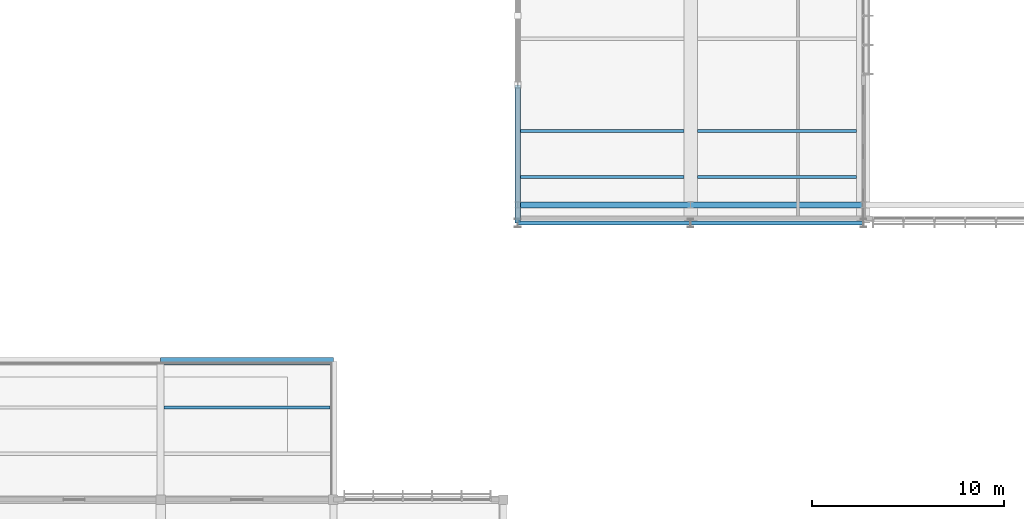
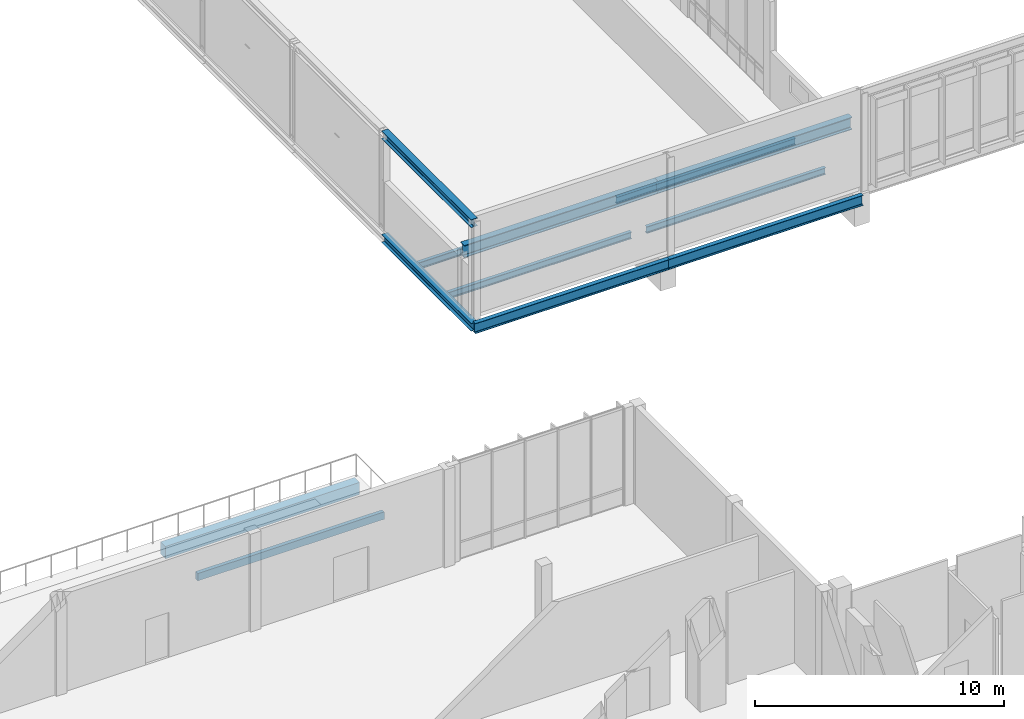
# One storey, part 58 of 177: 12 beams.
"""IFC4 building model written with IfcOpenShell, lengths in metres."""

from ifc_helpers import new_model, si_unit, direction, frame, origin, origin_2d, place, context, subcontext, project, spatial, rectangle, i_section, extrude, material, material_profile, profile_set, type_object, element, save


model = new_model("IFC4")

# Units and contexts
model_context = context("Model", 3, precision=1e-05, world=origin(), true_north=direction((0.0, 1.0)))
body_context = subcontext(model_context, "Body", "Model", "MODEL_VIEW")
ifc_project = project(units=[si_unit("LENGTHUNIT", "METRE"), si_unit("AREAUNIT", "SQUARE_METRE"), si_unit("VOLUMEUNIT", "CUBIC_METRE"), si_unit("PLANEANGLEUNIT", "RADIAN"), si_unit("MASSUNIT", "GRAM", prefix="KILO")], contexts=[model_context])

# Site, building, storey
site_placement = place(None, origin())
site = spatial("IfcSite", under=ifc_project, at=site_placement, CompositionType="ELEMENT")
building_placement = place(site_placement, origin())
building = spatial("IfcBuilding", under=site, at=building_placement, Name="Chiffa Square Polytechnic", CompositionType="ELEMENT")
storey_placement = place(building_placement, frame((0.0, 0.0, 4.800048828125)))
storey = spatial("IfcBuildingStorey", under=building, at=storey_placement, Name="L01", CompositionType="ELEMENT", Elevation=4.800048828125)

# Beams
ifc_material_1 = material(Name="Concrete C35/45", Category="concrete")
ifc_material_profile_1 = material_profile(ifc_material_1, rectangle(XDim=0.39990234375, YDim=0.60009765625, at=origin_2d()), Name="RC 400x600")
ifc_profile_set_1 = profile_set([ifc_material_profile_1], Name="Concrete C35/45")
beam_type_1 = type_object("IfcBeamType", Name="BM-RC-400X600", PredefinedType="BEAM", material=ifc_profile_set_1)
beam_1_placement = place(storey_placement, frame((93.60009765625, 51.0, -0.580078125), z_axis=(1.0, 0.0, 0.0), x_axis=(0.0, 1.0, 0.0)))
element("IfcBeam", 1, at=beam_1_placement, inside=storey, type_object=beam_type_1, Name="Primary floor girder BM-V4-L01-X-0936-0510", PredefinedType="BEAM", context=body_context, shape_type="SweptSolid", body=[
    extrude(rectangle(XDim=0.39990234375, YDim=0.60009765625, at=origin_2d()), origin(), (0.0, 0.0, 1.0), 9.0),
])
ifc_material_2 = material(Name="Steel S355", Category="steel")
ifc_material_profile_2 = material_profile(ifc_material_2, i_section(OverallWidth=0.300048828125, OverallDepth=0.389892578125, WebThickness=0.010986328125, FlangeThickness=0.01904296875, FilletRadius=0.027099609375, at=origin_2d()), Name="HEA 400")
ifc_profile_set_2 = profile_set([ifc_material_profile_2], Name="Steel S355")
beam_type_2 = type_object("IfcBeamType", Name="BM-STL-HEA400", PredefinedType="BEAM", material=ifc_profile_set_2)
for number, where, z_axis, x_axis, name in (
    (2, (112.199951171875, 58.199951171875, -0.47509765625), (0.0, 1.0, 0.0), (-1.0, 0.0, 0.0), "Primary floor girder BM-V2-L01-Y-1122-0582"),
    (3, (112.199951171875, 58.199951171875, 4.60498046875), (0.0, 1.0, 0.0), (-1.0, 0.0, 0.0), "Workshop west gable tie girder BM-V2-GBLTIE-W1"),
):
    element("IfcBeam", number, at=place(storey_placement, frame(where, z_axis=z_axis, x_axis=x_axis)), inside=storey, type_object=beam_type_2, Name=name, PredefinedType="BEAM", context=body_context, shape_type="SweptSolid", body=[
        extrude(i_section(OverallWidth=0.300048828125, OverallDepth=0.389892578125, WebThickness=0.010986328125, FlangeThickness=0.01904296875, FilletRadius=0.027099609375, at=origin_2d()), origin(), (0.0, 0.0, 1.0), 7.199951171875),
    ])
ifc_material_profile_3 = material_profile(ifc_material_2, i_section(OverallWidth=0.199951171875, OverallDepth=0.5, WebThickness=0.01025390625, FlangeThickness=0.01611328125, FilletRadius=0.02099609375, at=origin_2d()), Name="IPE 500")
ifc_profile_set_3 = profile_set([ifc_material_profile_3], Name="Steel S355")
beam_type_3 = type_object("IfcBeamType", Name="BM-STL-IPE500", PredefinedType="BEAM", material=ifc_profile_set_3)
for number, where, z_axis, x_axis, name in (
    (4, (112.199951171875, 58.199951171875, -0.530029296875), (1.0, 0.0, 0.0), (0.0, 1.0, 0.0), "Primary floor girder BM-V2-L01-X-1122-0582"),
    (5, (121.199951171875, 58.199951171875, -0.530029296875), (1.0, 0.0, 0.0), (0.0, 1.0, 0.0), "Primary floor girder BM-V2-L01-X-1212-0582"),
):
    element("IfcBeam", number, at=place(storey_placement, frame(where, z_axis=z_axis, x_axis=x_axis)), inside=storey, type_object=beam_type_3, Name=name, PredefinedType="BEAM", context=body_context, shape_type="SweptSolid", body=[
        extrude(i_section(OverallWidth=0.199951171875, OverallDepth=0.5, WebThickness=0.01025390625, FlangeThickness=0.01611328125, FilletRadius=0.02099609375, at=origin_2d()), origin(), (0.0, 0.0, 1.0), 9.0),
    ])
ifc_material_profile_4 = material_profile(ifc_material_2, i_section(OverallWidth=0.300048828125, OverallDepth=0.60009765625, WebThickness=0.015380859375, FlangeThickness=0.030029296875, FilletRadius=0.027099609375, at=origin_2d()), Name="HEB 600")
ifc_profile_set_4 = profile_set([ifc_material_profile_4], Name="Steel S355")
beam_type_4 = type_object("IfcBeamType", Name="CG-STL-HEB600", PredefinedType="USERDEFINED", material=ifc_profile_set_4)
for number, where, z_axis, x_axis, name in (
    (6, (112.199951171875, 59.14990234375, 2.699951171875), (1.0, 0.0, 0.0), (0.0, 1.0, 0.0), "Bridge crane runway girder CG-V2-L01-S01"),
    (7, (121.199951171875, 59.14990234375, 2.699951171875), (1.0, 0.0, 0.0), (0.0, 1.0, 0.0), "Bridge crane runway girder CG-V2-L01-S02"),
):
    element("IfcBeam", number, at=place(storey_placement, frame(where, z_axis=z_axis, x_axis=x_axis)), inside=storey, type_object=beam_type_4, Name=name, ObjectType="CRANE GIRDER", PredefinedType="USERDEFINED", context=body_context, shape_type="SweptSolid", body=[
        extrude(i_section(OverallWidth=0.300048828125, OverallDepth=0.60009765625, WebThickness=0.015380859375, FlangeThickness=0.030029296875, FilletRadius=0.027099609375, at=origin_2d()), origin(), (0.0, 0.0, 1.0), 9.0),
    ])
ifc_material_3 = material(Name="Glulam GL28h", Category="wood")
ifc_material_profile_5 = material_profile(ifc_material_3, rectangle(XDim=0.179931640625, YDim=0.360107421875, at=origin_2d()), Name="GL28h 180x360")
ifc_profile_set_5 = profile_set([ifc_material_profile_5], Name="Glulam GL28h")
beam_type_5 = type_object("IfcBeamType", Name="JST-GL-180X360", PredefinedType="JOIST", material=ifc_profile_set_5)
beam_2_placement = place(storey_placement, frame((93.77294921875, 48.60009765625, -0.4599609375), z_axis=(1.0, 0.0, 0.0), x_axis=(0.0, 1.0, 0.0)))
element("IfcBeam", 8, at=beam_2_placement, inside=storey, type_object=beam_type_5, Name="Secondary floor joist JST-V4-L01-0936-0486", PredefinedType="JOIST", context=body_context, shape_type="SweptSolid", body=[
    extrude(rectangle(XDim=0.179931640625, YDim=0.360107421875, at=origin_2d()), origin(), (0.0, 0.0, 1.0), 8.654052734375),
])
ifc_material_profile_6 = material_profile(ifc_material_2, i_section(OverallWidth=0.159912109375, OverallDepth=0.330078125, WebThickness=0.007568359375, FlangeThickness=0.011474609375, FilletRadius=0.01806640625, at=origin_2d()), Name="IPE 330")
ifc_profile_set_6 = profile_set([ifc_material_profile_6], Name="Steel S355")
beam_type_6 = type_object("IfcBeamType", Name="JST-STL-IPE330", PredefinedType="JOIST", material=ifc_profile_set_6)
for number, where, z_axis, x_axis, name in (
    (9, (112.347900390625, 60.60009765625, -0.445068359375), (1.0, 0.0, 0.0), (0.0, 1.0, 0.0), "Secondary floor joist JST-V2-L01-1122-0606"),
    (10, (112.347900390625, 63.0, -0.445068359375), (1.0, 0.0, 0.0), (0.0, 1.0, 0.0), "Secondary floor joist JST-V2-L01-1122-0630"),
):
    element("IfcBeam", number, at=place(storey_placement, frame(where, z_axis=z_axis, x_axis=x_axis)), inside=storey, type_object=beam_type_6, Name=name, PredefinedType="JOIST", context=body_context, shape_type="SweptSolid", body=[
        extrude(i_section(OverallWidth=0.159912109375, OverallDepth=0.330078125, WebThickness=0.007568359375, FlangeThickness=0.011474609375, FilletRadius=0.01806640625, at=origin_2d()), origin(), (0.0, 0.0, 1.0), 8.504150390625),
    ])
for number, where, z_axis, x_axis, name in (
    (11, (121.548095703125, 60.60009765625, -0.445068359375), (1.0, 0.0, 0.0), (0.0, 1.0, 0.0), "Secondary floor joist JST-V2-L01-1212-0606"),
    (12, (121.548095703125, 63.0, -0.445068359375), (1.0, 0.0, 0.0), (0.0, 1.0, 0.0), "Secondary floor joist JST-V2-L01-1212-0630"),
):
    element("IfcBeam", number, at=place(storey_placement, frame(where, z_axis=z_axis, x_axis=x_axis)), inside=storey, type_object=beam_type_6, Name=name, PredefinedType="JOIST", context=body_context, shape_type="SweptSolid", body=[
        extrude(i_section(OverallWidth=0.159912109375, OverallDepth=0.330078125, WebThickness=0.007568359375, FlangeThickness=0.011474609375, FilletRadius=0.01806640625, at=origin_2d()), origin(), (0.0, 0.0, 1.0), 8.303955078125),
    ])

save(model, "model.ifc")
